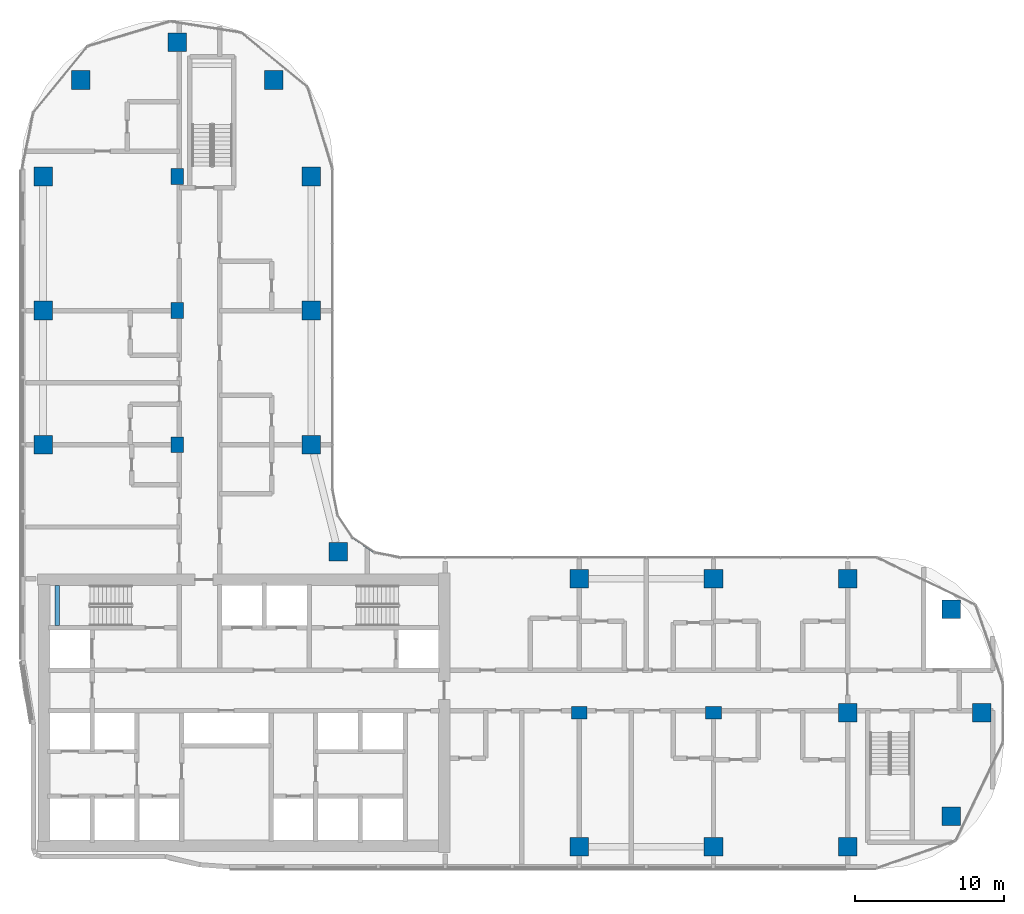
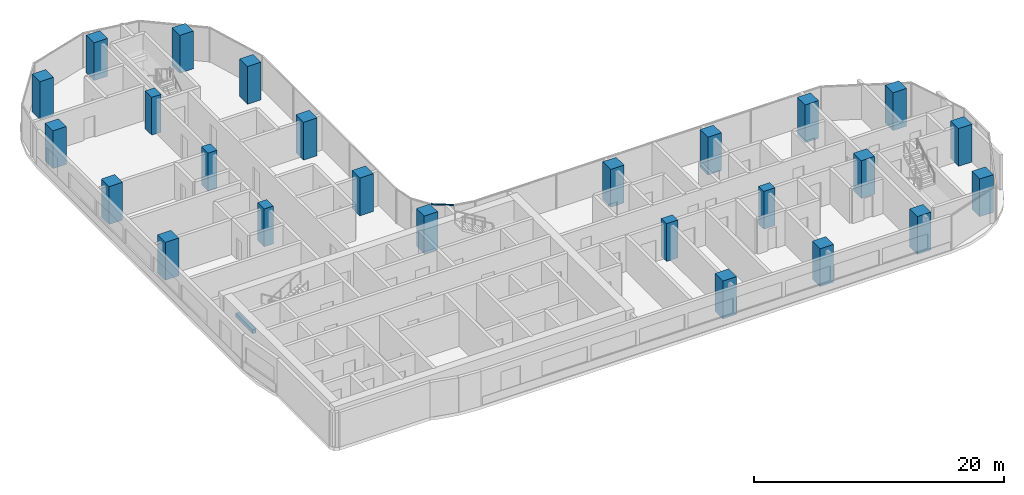
# One storey, part 1 of 22: 25 columns, 1 beam, 1 member, 1 element without a shape of its own.
"""IFC4 building model written with IfcOpenShell, lengths in metres."""

from ifc_helpers import new_model, si_unit, direction, frame, origin, origin_2d, place, context, subcontext, project, spatial, rectangle, extrude, material, material_profile, profile_set, type_object, element, aggregate, save


model = new_model("IFC4")

# Units and contexts
model_context = context("Model", 3, precision=1e-05, world=origin(), true_north=direction((0.0, 1.0)))
body_context = subcontext(model_context, "Body", "Model", "MODEL_VIEW")
ifc_project = project(units=[si_unit("LENGTHUNIT", "METRE"), si_unit("AREAUNIT", "SQUARE_METRE"), si_unit("VOLUMEUNIT", "CUBIC_METRE"), si_unit("PLANEANGLEUNIT", "RADIAN"), si_unit("MASSUNIT", "GRAM", prefix="KILO")], contexts=[model_context])

# Site, building, storey
site_placement = place(None, origin())
site = spatial("IfcSite", under=ifc_project, at=site_placement, CompositionType="ELEMENT")
building_placement = place(site_placement, origin())
building = spatial("IfcBuilding", under=site, at=building_placement, Name="Ogive Portal Towers", CompositionType="ELEMENT")
storey_placement = place(building_placement, frame((0.0, 0.0, 113.0)))
storey = spatial("IfcBuildingStorey", under=building, at=storey_placement, Name="L27", CompositionType="ELEMENT", Elevation=113.0)

# Columns
ifc_material_1 = material(Name="Concrete C60/75", Category="concrete")
ifc_material_profile_1 = material_profile(ifc_material_1, rectangle(XDim=1.050048828125, YDim=0.85009765625, at=origin_2d()), Name="RC 1050x850")
ifc_profile_set_1 = profile_set([ifc_material_profile_1], Name="Concrete C60/75")
column_type_1 = type_object("IfcColumnType", Name="COLUMN RC 1050x850", PredefinedType="COLUMN", material=ifc_profile_set_1)
for number, where, z_axis, x_axis, name in (
    (1, (67.5, 30.5, 0.0), (0.0, 0.0, 1.0), (1.0, 0.0, 0.0), "Column 5/B L27"),
    (2, (76.5, 30.5, 0.0), (0.0, 0.0, 1.0), (1.0, 0.0, 0.0), "Column 6/B L27"),
    (3, (40.5, 48.5, 0.0), (0.0, 0.0, 1.0), (0.0, 1.0, 0.0), "Column 2/D L27"),
    (4, (40.5, 57.5, 0.0), (0.0, 0.0, 1.0), (0.0, 1.0, 0.0), "Column 2/E L27"),
    (5, (40.5, 66.5, 0.0), (0.0, 0.0, 1.0), (0.0, 1.0, 0.0), "Column 2/F L27"),
):
    element("IfcColumn", number, at=place(storey_placement, frame(where, z_axis=z_axis, x_axis=x_axis)), inside=storey, type_object=column_type_1, Name=name, PredefinedType="COLUMN", context=body_context, shape_type="SweptSolid", body=[
        extrude(rectangle(XDim=1.050048828125, YDim=0.85009765625, at=origin_2d()), origin(), (0.0, 0.0, 1.0), 3.699951171875),
    ])
ifc_material_profile_2 = material_profile(ifc_material_1, rectangle(XDim=1.25, YDim=1.25, at=origin_2d()), Name="RC 1250x1250")
ifc_profile_set_2 = profile_set([ifc_material_profile_2], Name="Concrete C60/75")
column_type_2 = type_object("IfcColumnType", Name="COLUMN RC 1250x1250", PredefinedType="COLUMN", material=ifc_profile_set_2)
for number, where, z_axis, x_axis, name in (
    (6, (67.5, 21.5, 0.0), (0.0, 0.0, 1.0), (1.0, 0.0, 0.0), "Column 5/A L27"),
    (7, (76.5, 21.5, 0.0), (0.0, 0.0, 1.0), (1.0, 0.0, 0.0), "Column 6/A L27"),
    (8, (85.5, 21.5, 0.0), (0.0, 0.0, 1.0), (1.0, 0.0, 0.0), "Column 7/A L27"),
    (9, (92.449951171875, 23.550048828125, 0.0), (0.0, 0.0, 1.0), (1.0, 0.0, 0.0), "Column L27"),
    (10, (85.5, 30.5, 0.0), (0.0, 0.0, 1.0), (1.0, 0.0, 0.0), "Column 7/B L27"),
    (11, (94.5, 30.5, 0.0), (0.0, 0.0, 1.0), (1.0, 0.0, 0.0), "Column 8/B L27"),
    (12, (92.449951171875, 37.449951171875, 0.0), (0.0, 0.0, 1.0), (1.0, 0.0, 0.0), "Column L27"),
    (13, (67.5, 39.5, 0.0), (0.0, 0.0, 1.0), (1.0, 0.0, 0.0), "Column 5/C L27"),
    (14, (76.5, 39.5, 0.0), (0.0, 0.0, 1.0), (1.0, 0.0, 0.0), "Column 6/C L27"),
    (15, (85.5, 39.5, 0.0), (0.0, 0.0, 1.0), (1.0, 0.0, 0.0), "Column 7/C L27"),
    (16, (51.31005859375, 41.31005859375, 0.0), (0.0, 0.0, 1.0), (1.0, 0.0, 0.0), "Column L27"),
    (17, (31.5, 48.5, 0.0), (0.0, 0.0, 1.0), (1.0, 0.0, 0.0), "Column 1/D L27"),
    (18, (49.5, 48.5, 0.0), (0.0, 0.0, 1.0), (1.0, 0.0, 0.0), "Column 3/D L27"),
    (19, (31.5, 57.5, 0.0), (0.0, 0.0, 1.0), (1.0, 0.0, 0.0), "Column 1/E L27"),
    (20, (49.5, 57.5, 0.0), (0.0, 0.0, 1.0), (1.0, 0.0, 0.0), "Column 3/E L27"),
    (21, (31.5, 66.5, 0.0), (0.0, 0.0, 1.0), (1.0, 0.0, 0.0), "Column 1/F L27"),
    (22, (49.5, 66.5, 0.0), (0.0, 0.0, 1.0), (1.0, 0.0, 0.0), "Column 3/F L27"),
    (23, (34.027099609375, 72.972900390625, 0.0), (0.0, 0.0, 1.0), (1.0, 0.0, 0.0), "Column L27"),
    (24, (46.972900390625, 72.972900390625, 0.0), (0.0, 0.0, 1.0), (1.0, 0.0, 0.0), "Column L27"),
    (25, (40.5, 75.5, 0.0), (0.0, 0.0, 1.0), (1.0, 0.0, 0.0), "Column 2/G L27"),
):
    element("IfcColumn", number, at=place(storey_placement, frame(where, z_axis=z_axis, x_axis=x_axis)), inside=storey, type_object=column_type_2, Name=name, PredefinedType="COLUMN", context=body_context, shape_type="SweptSolid", body=[
        extrude(rectangle(XDim=1.25, YDim=1.25, at=origin_2d()), origin(), (0.0, 0.0, 1.0), 3.699951171875),
    ])

# Beam
ifc_material_2 = material(Name="Concrete C40/50", Category="concrete")
ifc_material_profile_3 = material_profile(ifc_material_2, rectangle(XDim=0.300048828125, YDim=0.39990234375, at=origin_2d()), Name="RC 300x400")
ifc_profile_set_3 = profile_set([ifc_material_profile_3], Name="Concrete C40/50")
beam_type = type_object("IfcBeamType", Name="BEAM RC 300x400", PredefinedType="BEAM", material=ifc_profile_set_3)
beam_placement = place(storey_placement, frame((32.449951171875, 36.35009765625, 1.449951171875), z_axis=(0.0, 1.0, 0.0), x_axis=(-1.0, 0.0, 0.0)))
element("IfcBeam", 26, at=beam_placement, inside=storey, type_object=beam_type, Name="Landing beam L27", PredefinedType="BEAM", context=body_context, shape_type="SweptSolid", body=[
    extrude(rectangle(XDim=0.300048828125, YDim=0.39990234375, at=origin_2d()), origin(), (0.0, 0.0, 1.0), 2.699951171875),
])

# Curtain wall, member
ifc_material_3 = material(Name="Glass, clear low-iron insulated glazing", Category="glass")
curtain_wall_type = type_object("IfcCurtainWallType", Name="CW FRONT RIBBON 4500", PredefinedType="NOTDEFINED", material=ifc_material_3)
curtain_wall_placement = place(storey_placement, origin())
curtain_wall = element("IfcCurtainWall", 27, at=curtain_wall_placement, inside=storey, type_object=curtain_wall_type, Name="A:L27:f13:cwa", PredefinedType="NOTDEFINED")
ifc_material_4 = material(Name="Aluminium 6063 anodised", Category="aluminium")
ifc_material_profile_4 = material_profile(ifc_material_4, rectangle(XDim=0.1201171875, YDim=0.06005859375, at=origin_2d()), Name="AL 120x60")
ifc_profile_set_4 = profile_set([ifc_material_profile_4], Name="Aluminium 6063 anodised")
member_type = type_object("IfcMemberType", Name="CW TRANSOM 60x120", PredefinedType="USERDEFINED", material=ifc_profile_set_4)
member_placement = place(storey_placement, frame((53.746826171875, 41.26708984375, 3.3701171875), z_axis=(-0.831503657605, 0.555519277244, 0.0), x_axis=(-0.555519277244, -0.831503657605, 0.0)))
member = element("IfcMember", 28, at=member_placement, type_object=member_type, Name="transom", ObjectType="TRANSOM", PredefinedType="USERDEFINED", context=body_context, shape_type="SweptSolid", body=[
    extrude(rectangle(XDim=0.1201171875, YDim=0.06005859375, at=origin_2d()), origin(), (0.0, 0.0, 1.0), 1.787841796875),
])
aggregate(curtain_wall, [member])

save(model, "model.ifc")
